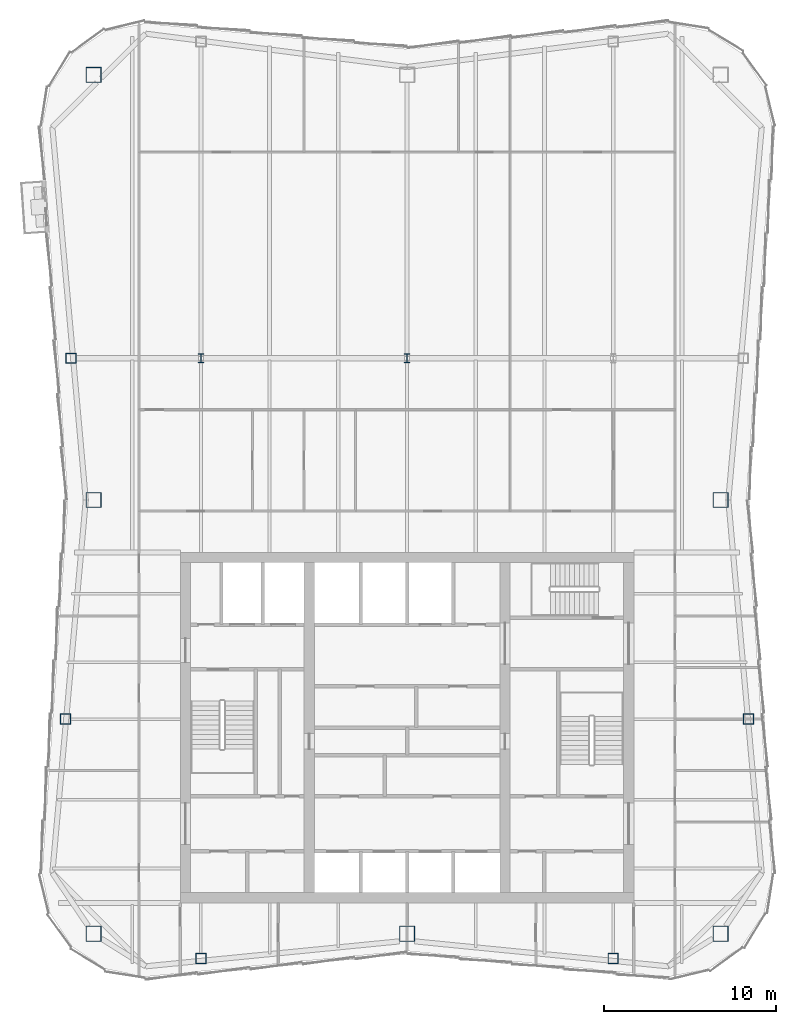
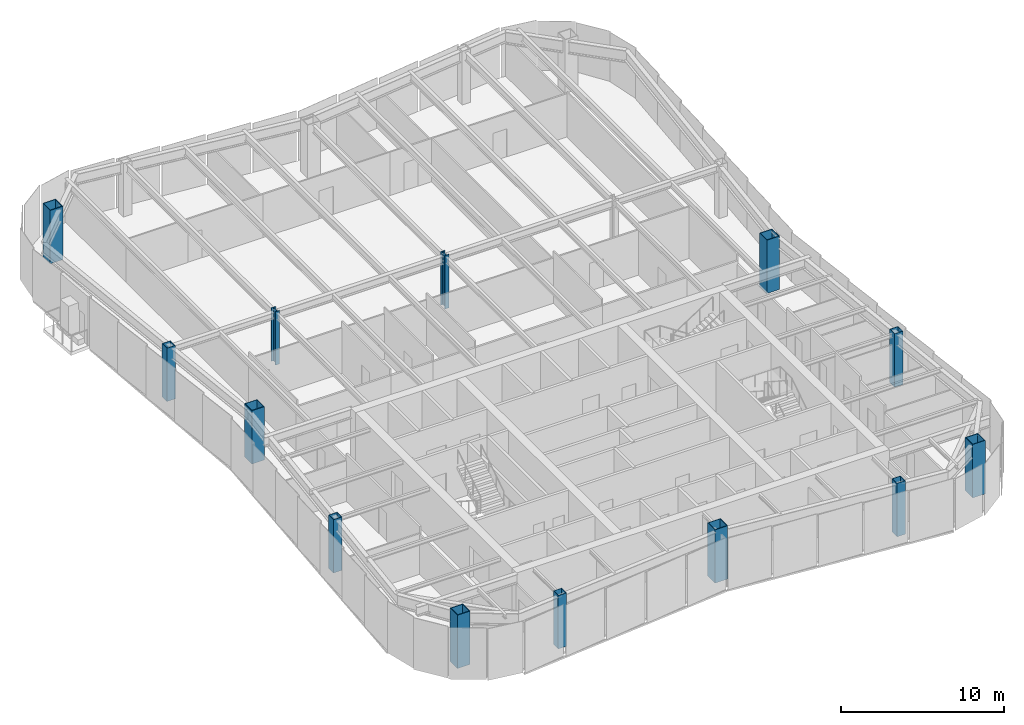
# One storey, part 1 of 11: 13 columns.
"""IFC4 building model written with IfcOpenShell, lengths in metres."""

from ifc_helpers import new_model, si_unit, direction, frame, origin, origin_2d, place, context, subcontext, project, spatial, hollow_rectangle, i_section, extrude, material, material_profile, profile_set, type_object, element, save


model = new_model("IFC4")

# Units and contexts
model_context = context("Model", 3, precision=1e-05, world=origin(), true_north=direction((0.0, 1.0)))
body_context = subcontext(model_context, "Body", "Model", "MODEL_VIEW")
ifc_project = project(units=[si_unit("LENGTHUNIT", "METRE"), si_unit("AREAUNIT", "SQUARE_METRE"), si_unit("VOLUMEUNIT", "CUBIC_METRE"), si_unit("PLANEANGLEUNIT", "RADIAN"), si_unit("MASSUNIT", "GRAM", prefix="KILO")], contexts=[model_context])

# Site, building, storey
site_placement = place(None, origin())
site = spatial("IfcSite", under=ifc_project, at=site_placement, CompositionType="ELEMENT")
building_placement = place(site_placement, origin())
building = spatial("IfcBuilding", under=site, at=building_placement, Name="Verdant Reach Tower", CompositionType="ELEMENT")
storey_placement = place(building_placement, frame((0.0, 0.0, 314.0)))
storey = spatial("IfcBuildingStorey", under=building, at=storey_placement, Name="L72", CompositionType="ELEMENT", Elevation=314.0)

# Columns
ifc_material = material(Name="Steel S460", Category="steel")
ifc_material_profile_1 = material_profile(ifc_material, i_section(OverallWidth=0.305908203125, OverallDepth=0.52392578125, WebThickness=0.012451171875, FlangeThickness=0.0400390625, FilletRadius=0.027099609375, at=origin_2d()), Name="HEM 500")
ifc_profile_set_1 = profile_set([ifc_material_profile_1], Name="Steel S460")
column_type_1 = type_object("IfcColumnType", Name="ST-COL-HEM500", PredefinedType="COLUMN", material=ifc_profile_set_1)
for number, where, z_axis, x_axis, name in (
    (1, (-12.0, 49.5, 0.0), (0.0, 0.0, 1.0), (1.0, 0.0, 0.0), "Interior column 1, L72"),
    (2, (0.0, 49.5, 0.0), (0.0, 0.0, 1.0), (1.0, 0.0, 0.0), "Interior column 2, L72"),
):
    element("IfcColumn", number, at=place(storey_placement, frame(where, z_axis=z_axis, x_axis=x_axis)), inside=storey, type_object=column_type_1, Name=name, PredefinedType="COLUMN", context=body_context, shape_type="SweptSolid", body=[
        extrude(i_section(OverallWidth=0.305908203125, OverallDepth=0.52392578125, WebThickness=0.012451171875, FlangeThickness=0.0400390625, FilletRadius=0.027099609375, at=origin_2d()), origin(), (0.0, 0.0, 1.0), 4.0),
    ])
ifc_material_profile_2 = material_profile(ifc_material, hollow_rectangle(XDim=0.60009765625, YDim=0.60009765625, WallThickness=0.02490234375, at=origin_2d()), Name="WB 600x600x25")
ifc_profile_set_2 = profile_set([ifc_material_profile_2], Name="Steel S460")
column_type_2 = type_object("IfcColumnType", Name="ST-COL-WB600x600x25", PredefinedType="COLUMN", material=ifc_profile_set_2)
for number, where, z_axis, x_axis, name in (
    (3, (-12.0, 14.569580078125, 0.0), (0.0, 0.0, 1.0), (1.0, 0.0, 0.0), "Perimeter column south 1, L72"),
    (4, (12.0, 14.569580078125, 0.0), (0.0, 0.0, 1.0), (1.0, 0.0, 0.0), "Perimeter column south 2, L72"),
    (5, (19.87939453125, 28.5, 0.0), (0.0, 0.0, 1.0), (1.0, 0.0, 0.0), "Perimeter column east 1, L72"),
    (6, (-19.87939453125, 28.5, 0.0), (0.0, 0.0, 1.0), (1.0, 0.0, 0.0), "Perimeter column west 1, L72"),
    (7, (-19.569091796875, 49.5, 0.0), (0.0, 0.0, 1.0), (1.0, 0.0, 0.0), "Perimeter column west 2, L72"),
):
    element("IfcColumn", number, at=place(storey_placement, frame(where, z_axis=z_axis, x_axis=x_axis)), inside=storey, type_object=column_type_2, Name=name, PredefinedType="COLUMN", context=body_context, shape_type="SweptSolid", body=[
        extrude(hollow_rectangle(XDim=0.60009765625, YDim=0.60009765625, WallThickness=0.02490234375, at=origin_2d()), origin(), (0.0, 0.0, 1.0), 4.0),
    ])
ifc_material_profile_3 = material_profile(ifc_material, hollow_rectangle(XDim=0.89990234375, YDim=0.89990234375, WallThickness=0.0400390625, at=origin_2d()), Name="WB 900x900x40")
ifc_profile_set_3 = profile_set([ifc_material_profile_3], Name="Steel S460")
column_type_3 = type_object("IfcColumnType", Name="ST-COL-WB900x900x40", PredefinedType="COLUMN", material=ifc_profile_set_3)
for number, where, z_axis, x_axis, name in (
    (8, (-18.25, 66.0, 0.0), (0.0, 0.0, 1.0), (1.0, 0.0, 0.0), "Mega column north-west, L72"),
    (9, (18.25, 41.25, 0.0), (0.0, 0.0, 1.0), (1.0, 0.0, 0.0), "Mega column east, L72"),
    (10, (18.25, 16.0, 0.0), (0.0, 0.0, 1.0), (1.0, 0.0, 0.0), "Mega column south-east, L72"),
    (11, (0.0, 16.0, 0.0), (0.0, 0.0, 1.0), (1.0, 0.0, 0.0), "Mega column south, L72"),
    (12, (-18.25, 16.0, 0.0), (0.0, 0.0, 1.0), (1.0, 0.0, 0.0), "Mega column south-west, L72"),
    (13, (-18.25, 41.25, 0.0), (0.0, 0.0, 1.0), (1.0, 0.0, 0.0), "Mega column west, L72"),
):
    element("IfcColumn", number, at=place(storey_placement, frame(where, z_axis=z_axis, x_axis=x_axis)), inside=storey, type_object=column_type_3, Name=name, PredefinedType="COLUMN", context=body_context, shape_type="SweptSolid", body=[
        extrude(hollow_rectangle(XDim=0.89990234375, YDim=0.89990234375, WallThickness=0.0400390625, at=origin_2d()), origin(), (0.0, 0.0, 1.0), 4.0),
    ])

save(model, "model.ifc")
